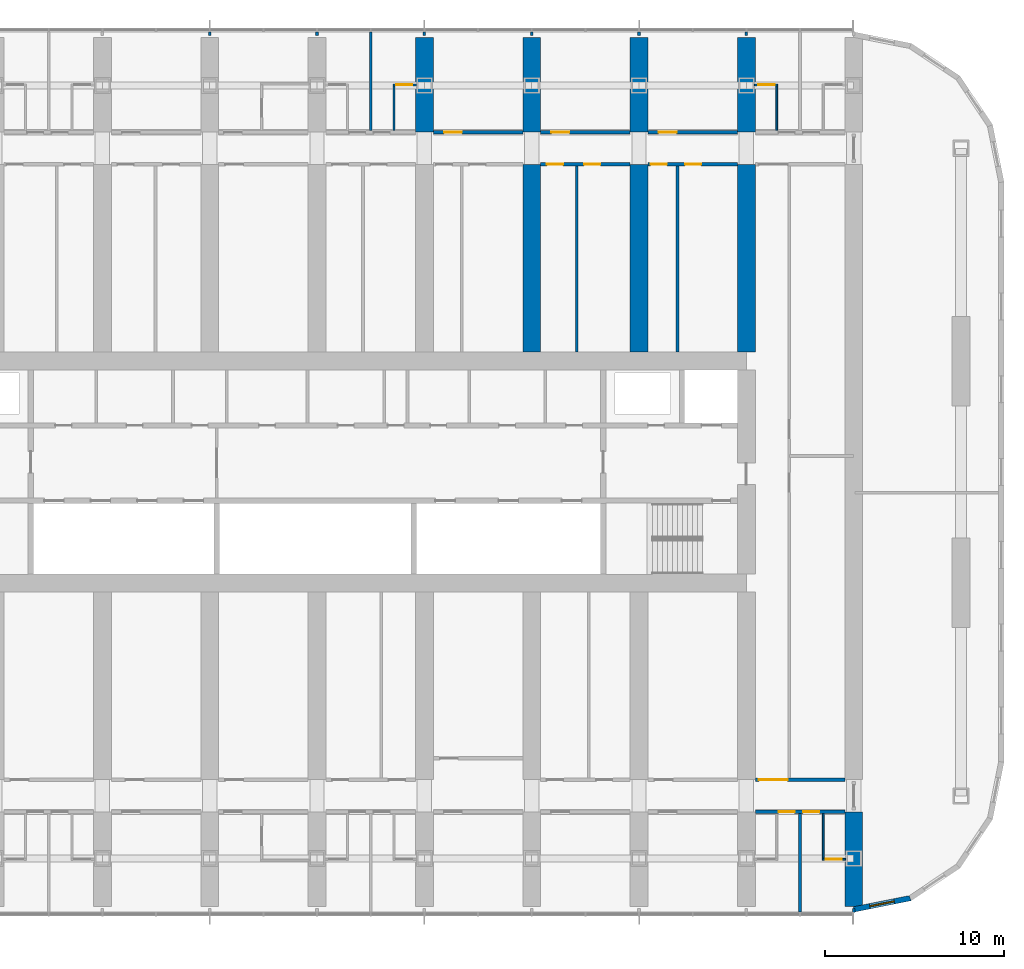
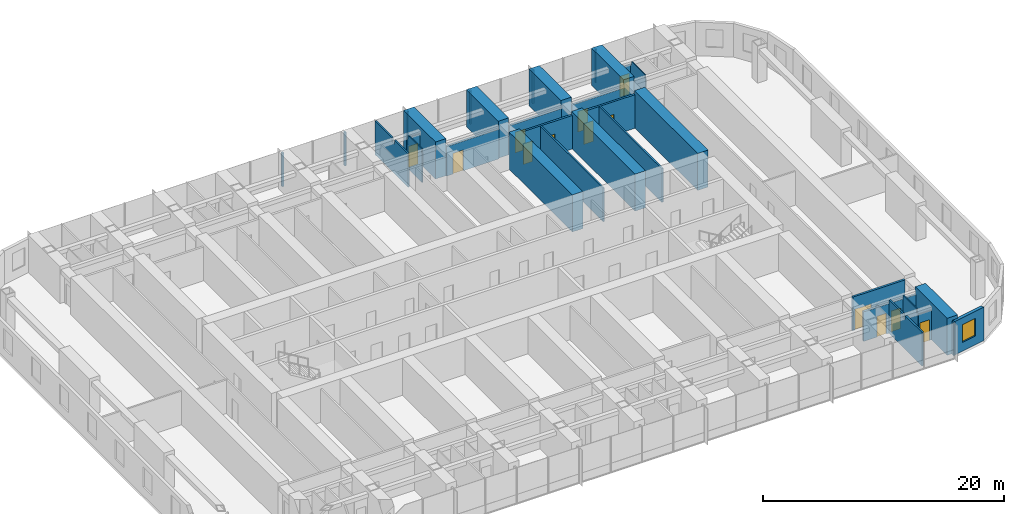
# One storey, part 16 of 23: 33 walls, 13 doors, 1 window, 14 openings.
"""IFC4 building model written with IfcOpenShell, lengths in metres."""

import ifcopenshell
import ifcopenshell.guid

model = None  # the IFC model being written
_history = None  # IfcOwnerHistory: only IFC2X3 demands one
_inside = {}  # id of a spatial element -> (the spatial element, [elements in it])
_under = {}  # id of a project, library or spatial element -> (it, [spatial elements below it])
_declared = {}  # id of a project -> (the project, [libraries it declares])
_typed = {}  # id of a type object -> (the type object, [elements of that type])
_made_of = {}  # id of a material, layer set ... -> (it, [elements and type objects made of it])


def new_model(schema):
    """Start an empty IFC model of exactly this schema.

    Asked for "IFC4X3", IfcOpenShell would pick the latest addendum, in which some entities
    have other attributes; the version numbers below select the first issue.
    IFC2X3 requires an IfcOwnerHistory on every rooted entity: one is made here for all.
    """
    global model, _history
    if schema == "IFC4X3":
        model = ifcopenshell.file(schema_version=(4, 3, 0, 0))
    else:
        model = ifcopenshell.file(schema=schema)
    _inside.clear()
    _under.clear()
    _declared.clear()
    _typed.clear()
    _made_of.clear()
    _history = None
    if model.schema == "IFC2X3":
        org = make("IfcOrganization", Name="unknown")
        user = make(
            "IfcPersonAndOrganization",
            ThePerson=make("IfcPerson", FamilyName="unknown"),
            TheOrganization=org,
        )
        app = make(
            "IfcApplication",
            ApplicationDeveloper=org,
            Version="unknown",
            ApplicationFullName="unknown",
            ApplicationIdentifier="unknown",
        )
        _history = make(
            "IfcOwnerHistory",
            OwningUser=user,
            OwningApplication=app,
            ChangeAction="ADDED",
            CreationDate=0,
        )
    return model


def make(cls, **values):
    """One entity of the class cls with the attributes given. An attribute that is None is left unset."""
    return model.create_entity(
        cls, **{name: value for name, value in values.items() if value is not None}
    )


def rooted(cls, **values):
    """An entity with a GlobalId (a new one), such as an element, a storey or a relation."""
    return make(cls, GlobalId=ifcopenshell.guid.new(), OwnerHistory=_history, **values)


def si_unit(unit_type, name, prefix=None):
    """IfcSIUnit, for example si_unit("LENGTHUNIT", "METRE", prefix="MILLI")."""
    return make("IfcSIUnit", UnitType=unit_type, Prefix=prefix, Name=name)


def assignment(units):
    """IfcUnitAssignment: the units of a project."""
    return None if units is None else make("IfcUnitAssignment", Units=units)


def point(xyz):
    """IfcCartesianPoint."""
    return None if xyz is None else make("IfcCartesianPoint", Coordinates=xyz)


def direction(xyz):
    """IfcDirection."""
    return None if xyz is None else make("IfcDirection", DirectionRatios=xyz)


def frame(location, z_axis=None, x_axis=None):
    """IfcAxis2Placement3D, a coordinate frame: its origin and axes. An axis left out is left unset."""
    return make(
        "IfcAxis2Placement3D",
        Location=point(location),
        Axis=direction(z_axis),
        RefDirection=direction(x_axis),
    )


def frame_2d(location, x_axis=None):
    """IfcAxis2Placement2D, a coordinate frame in the plane: its origin and x axis."""
    return make(
        "IfcAxis2Placement2D", Location=point(location), RefDirection=direction(x_axis)
    )


def origin():
    """The frame at (0, 0, 0) with its axes left unset."""
    return frame((0.0, 0.0, 0.0))


def place(relative_to, where):
    """IfcLocalPlacement: puts the frame where relative to a parent placement (None: the world)."""
    return make(
        "IfcLocalPlacement", PlacementRelTo=relative_to, RelativePlacement=where
    )


def context(
    kind, dimensions, precision=None, world=None, true_north=None, identifier=None
):
    """IfcGeometricRepresentationContext, for example the 3D "Model" context."""
    return make(
        "IfcGeometricRepresentationContext",
        ContextIdentifier=identifier,
        ContextType=kind,
        CoordinateSpaceDimension=dimensions,
        Precision=precision,
        WorldCoordinateSystem=world,
        TrueNorth=true_north,
    )


def subcontext(parent, identifier, kind, view, scale=None):
    """IfcGeometricRepresentationSubContext, for example "Body" below "Model"."""
    return make(
        "IfcGeometricRepresentationSubContext",
        ContextIdentifier=identifier,
        ContextType=kind,
        ParentContext=parent,
        TargetScale=scale,
        TargetView=view,
    )


def project(units=None, contexts=None):
    """IfcProject with its units and contexts."""
    return rooted(
        "IfcProject",
        Name="project",
        RepresentationContexts=contexts,
        UnitsInContext=assignment(units),
    )


def spatial(cls, under=None, at=None, **own):
    """A site, building, storey or space (cls), placed at a placement, below another one or the project."""
    s = rooted(cls, ObjectPlacement=at, **own)
    if under is not None:
        _under.setdefault(under.id(), (under, []))[1].append(s)
    return s


def polyline(points):
    """IfcPolyline through the points."""
    return make("IfcPolyline", Points=[point(p) for p in points])


def profile(cls, at=None, kind="AREA", **sizes):
    """A parametric profile (cls). Its sizes go by their IFC names, for example OverallWidth=200.0."""
    return make(cls, ProfileType=kind, Position=at, **sizes)


def rectangle(**sizes):
    """IfcRectangleProfileDef."""
    return profile("IfcRectangleProfileDef", **sizes)


def outline(outer, holes=None, kind="AREA"):
    """IfcArbitraryClosedProfileDef: a profile drawn as a closed curve; with holes, ...WithVoids."""
    if holes is None:
        return make("IfcArbitraryClosedProfileDef", ProfileType=kind, OuterCurve=outer)
    return make(
        "IfcArbitraryProfileDefWithVoids",
        ProfileType=kind,
        OuterCurve=outer,
        InnerCurves=holes,
    )


def extrude(swept, where, along, depth):
    """IfcExtrudedAreaSolid: the profile swept, set in the frame where, extruded along a direction by depth."""
    return make(
        "IfcExtrudedAreaSolid",
        SweptArea=swept,
        Position=where,
        ExtrudedDirection=direction(along),
        Depth=depth,
    )


def shape(context_of_items, identifier, shape_type, items):
    """IfcShapeRepresentation: the items that make up one representation, for example the "Body"."""
    return make(
        "IfcShapeRepresentation",
        ContextOfItems=context_of_items,
        RepresentationIdentifier=identifier,
        RepresentationType=shape_type,
        Items=items,
    )


def material(Name=None, Category=None):
    """IfcMaterial."""
    return make("IfcMaterial", Name=Name, Category=Category)


def layer(
    of_material, thickness, ventilated=None, Name=None, Category=None, Priority=None
):
    """IfcMaterialLayer: one layer of a wall or slab, of a material (None: an air gap)."""
    return make(
        "IfcMaterialLayer",
        Material=of_material,
        LayerThickness=thickness,
        IsVentilated=ventilated,
        Name=Name,
        Category=Category,
        Priority=Priority,
    )


def layer_set(layers, Name=None):
    """IfcMaterialLayerSet."""
    return make("IfcMaterialLayerSet", MaterialLayers=layers, LayerSetName=Name)


def made_of(thing, what):
    """Note that an element or type object is made of a material, layer set ...; save() writes the relation."""
    if what is not None:
        _made_of.setdefault(what.id(), (what, []))[1].append(thing)
    return thing


def type_object(cls, material=None, **own):
    """A type object (cls), such as IfcWallType, which elements share."""
    return made_of(rooted(cls, **own), material)


def element(
    cls,
    number,
    at=None,
    inside=None,
    cuts=None,
    type_object=None,
    material=None,
    context=None,
    identifier="Body",
    shape_type=None,
    held_by="IfcProductDefinitionShape",
    body=None,
    shapes=None,
    **own,
):
    """One element of the class cls, such as IfcWall. Its Tag is "e" and its number.

    at: its placement. inside: the storey or other place that contains it. cuts: it is an
    opening in that element (IfcRelVoidsElement). A single representation is given by context,
    identifier, shape_type and body (its items); several are given by shapes. held_by: the class
    of the entity that holds the representations. save() writes the other relations.
    """
    e = rooted(cls, Tag="e%d" % number, ObjectPlacement=at, **own)
    if body is not None:
        shapes = [shape(context, identifier, shape_type, body)]
    if shapes is not None:
        e.Representation = make(held_by, Representations=shapes)
    if inside is not None:
        _inside.setdefault(inside.id(), (inside, []))[1].append(e)
    if cuts is not None:
        rooted(
            "IfcRelVoidsElement", RelatingBuildingElement=cuts, RelatedOpeningElement=e
        )
    if type_object is not None:
        _typed.setdefault(type_object.id(), (type_object, []))[1].append(e)
    return made_of(e, material)


def fill(opening, filler):
    """IfcRelFillsElement: the door or window that sits in an opening."""
    return rooted(
        "IfcRelFillsElement",
        RelatingOpeningElement=opening,
        RelatedBuildingElement=filler,
    )


def aggregate(whole, parts):
    """IfcRelAggregates: a whole, such as a stair, and the parts it consists of."""
    return rooted("IfcRelAggregates", RelatingObject=whole, RelatedObjects=parts)


def save(model, path):
    """Write the relations noted so far, then the file.

    IfcRelAggregates (storeys below a building ...), IfcRelContainedInSpatialStructure (elements
    in a storey), IfcRelDefinesByType, IfcRelAssociatesMaterial and IfcRelDeclares: one each for
    every whole, place, type object, material and project.
    """
    for whole, parts in _under.values():
        aggregate(whole, parts)
    for where, things in _inside.values():
        rooted(
            "IfcRelContainedInSpatialStructure",
            RelatedElements=things,
            RelatingStructure=where,
        )
    for kind, things in _typed.values():
        rooted("IfcRelDefinesByType", RelatedObjects=things, RelatingType=kind)
    for what, things in _made_of.values():
        rooted("IfcRelAssociatesMaterial", RelatedObjects=things, RelatingMaterial=what)
    for by, libraries in _declared.values():
        rooted("IfcRelDeclares", RelatingContext=by, RelatedDefinitions=libraries)
    model.write(path)


model = new_model("IFC4")

# Units and contexts
model_context = context("Model", 3, precision=1e-05, world=origin(), true_north=direction((0.0, 1.0)))
body_context = subcontext(model_context, "Body", "Model", "MODEL_VIEW")
ifc_project = project(units=[si_unit("LENGTHUNIT", "METRE"), si_unit("AREAUNIT", "SQUARE_METRE"), si_unit("VOLUMEUNIT", "CUBIC_METRE"), si_unit("PLANEANGLEUNIT", "RADIAN"), si_unit("MASSUNIT", "GRAM", prefix="KILO")], contexts=[model_context])

# Site, building, storey
site_placement = place(None, origin())
site = spatial("IfcSite", under=ifc_project, at=site_placement, CompositionType="ELEMENT")
building_placement = place(site_placement, origin())
building = spatial("IfcBuilding", under=site, at=building_placement, Name="Orbita Commons", CompositionType="ELEMENT")
storey_placement = place(building_placement, frame((0.0, 0.0, 65.199951171875)))
storey = spatial("IfcBuildingStorey", under=building, at=storey_placement, Name="L16", CompositionType="ELEMENT", Elevation=65.199951171875)

# Wall, openings, doors
ifc_material_1 = material(Name="Concrete blockwork", Category="masonry")
ifc_layer_1 = layer(ifc_material_1, 0.199951171875)
ifc_layer_set_1 = layer_set([ifc_layer_1], Name="Concrete blockwork")
wall_type_1 = type_object("IfcWallType", Name="Corridor wall 200 blockwork", PredefinedType="SOLIDWALL", material=ifc_layer_set_1)
wall_1_placement = place(storey_placement, frame((66.5, 13.0, 0.0), z_axis=(0.0, 0.0, 1.0), x_axis=(1.0, 0.0, 0.0)))
wall_1 = element("IfcWall", 1, at=wall_1_placement, inside=storey, type_object=wall_type_1, Name="Corridor wall 200 blockwork L16", PredefinedType="SOLIDWALL", context=body_context, shape_type="SweptSolid", body=[
    extrude(outline(polyline([(0.0, 0.0), (5.0, 0.0), (5.0, 3.0), (0.0, 3.0), (0.0, 0.0)])), frame((0.0, 0.10009765625, 0.0), z_axis=(0.0, -1.0, 0.0), x_axis=(1.0, 0.0, 0.0)), (0.0, 0.0, 1.0), 0.199951171875),
])
opening_1_placement = place(wall_1_placement, frame((1.300048828125, 0.0, 0.0)))
opening_1 = element("IfcOpeningElement", 2, at=opening_1_placement, cuts=wall_1, Name="Opening D11", PredefinedType="OPENING", context=body_context, shape_type="SweptSolid", body=[
    extrude(rectangle(XDim=0.89990234375, YDim=2.10009765625, at=frame_2d((0.449951171875, 1.050048828125))), frame((0.0, 0.10986328125, 0.0), z_axis=(0.0, -1.0, 0.0), x_axis=(1.0, 0.0, 0.0)), (0.0, 0.0, 1.0), 0.219970703125),
])
opening_2_placement = place(wall_1_placement, frame((2.675048828125, 0.0, 0.0)))
opening_2 = element("IfcOpeningElement", 3, at=opening_2_placement, cuts=wall_1, Name="Opening D11", PredefinedType="OPENING", context=body_context, shape_type="SweptSolid", body=[
    extrude(rectangle(XDim=0.89990234375, YDim=2.10009765625, at=frame_2d((0.449951171875, 1.050048828125))), frame((0.0, 0.10986328125, 0.0), z_axis=(0.0, -1.0, 0.0), x_axis=(1.0, 0.0, 0.0)), (0.0, 0.0, 1.0), 0.219970703125),
])
ifc_material_2 = material(Name="Steel-faced fire door leaf", Category="steel")
door_type_1 = type_object("IfcDoorType", Name="Corridor door 20 min 900x2100", OperationType="SINGLE_SWING_LEFT", PredefinedType="DOOR", material=ifc_material_2)
door_1_placement = place(opening_1_placement, origin())
door_1 = element("IfcDoor", 4, at=door_1_placement, inside=storey, type_object=door_type_1, Name="House bedroom L16-S18 door", OperationType="SINGLE_SWING_LEFT", OverallHeight=2.10009765625, OverallWidth=0.89990234375, PredefinedType="DOOR", context=body_context, shape_type="SweptSolid", body=[
    extrude(rectangle(XDim=0.89990234375, YDim=2.10009765625, at=frame_2d((0.449951171875, 1.050048828125))), frame((0.0, 0.02490234375, 0.0), z_axis=(0.0, -1.0, 0.0), x_axis=(1.0, 0.0, 0.0)), (0.0, 0.0, 1.0), 0.050048828125),
])
fill(opening_1, door_1)
door_2_placement = place(opening_2_placement, origin())
door_2 = element("IfcDoor", 5, at=door_2_placement, inside=storey, type_object=door_type_1, Name="House bedroom L16-S19 door", OperationType="SINGLE_SWING_LEFT", OverallHeight=2.10009765625, OverallWidth=0.89990234375, PredefinedType="DOOR", context=body_context, shape_type="SweptSolid", body=[
    extrude(rectangle(XDim=0.89990234375, YDim=2.10009765625, at=frame_2d((0.449951171875, 1.050048828125))), frame((0.0, 0.02490234375, 0.0), z_axis=(0.0, -1.0, 0.0), x_axis=(1.0, 0.0, 0.0)), (0.0, 0.0, 1.0), 0.050048828125),
])
fill(opening_2, door_2)

# Wall, opening, door
wall_2_placement = place(storey_placement, frame((48.5, 51.0, 0.0), z_axis=(0.0, 0.0, 1.0), x_axis=(1.0, 0.0, 0.0)))
wall_2 = element("IfcWall", 6, at=wall_2_placement, inside=storey, type_object=wall_type_1, Name="Corridor wall 200 blockwork L16", PredefinedType="SOLIDWALL", context=body_context, shape_type="SweptSolid", body=[
    extrude(outline(polyline([(0.0, 0.0), (5.0, 0.0), (5.0, 3.0), (0.0, 3.0), (0.0, 0.0)])), frame((0.0, 0.10009765625, 0.0), z_axis=(0.0, -1.0, 0.0), x_axis=(1.0, 0.0, 0.0)), (0.0, 0.0, 1.0), 0.199951171875),
])
opening_3_placement = place(wall_2_placement, frame((0.60009765625, 0.0, 0.0)))
opening_3 = element("IfcOpeningElement", 7, at=opening_3_placement, cuts=wall_2, Name="Opening D06", PredefinedType="OPENING", context=body_context, shape_type="SweptSolid", body=[
    extrude(rectangle(XDim=1.0, YDim=2.10009765625, at=frame_2d((0.5, 1.050048828125))), frame((0.0, 0.10986328125, 0.0), z_axis=(0.0, -1.0, 0.0), x_axis=(1.0, 0.0, 0.0)), (0.0, 0.0, 1.0), 0.219970703125),
])
ifc_material_3 = material(Name="Steel-faced fire door leaf", Category="steel")
door_type_2 = type_object("IfcDoorType", Name="Corridor door 20 min 1000x2100", OperationType="SINGLE_SWING_LEFT", PredefinedType="DOOR", material=ifc_material_3)
door_3_placement = place(opening_3_placement, origin())
door_3 = element("IfcDoor", 8, at=door_3_placement, inside=storey, type_object=door_type_2, Name="House study room L16-N12 door", OperationType="SINGLE_SWING_LEFT", OverallHeight=2.10009765625, OverallWidth=1.0, PredefinedType="DOOR", context=body_context, shape_type="SweptSolid", body=[
    extrude(rectangle(XDim=1.0, YDim=2.10009765625, at=frame_2d((0.5, 1.050048828125))), frame((0.0, 0.02490234375, 0.0), z_axis=(0.0, -1.0, 0.0), x_axis=(1.0, 0.0, 0.0)), (0.0, 0.0, 1.0), 0.050048828125),
])
fill(opening_3, door_3)

wall_3_placement = place(storey_placement, frame((54.5, 51.0, 0.0), z_axis=(0.0, 0.0, 1.0), x_axis=(1.0, 0.0, 0.0)))
wall_3 = element("IfcWall", 9, at=wall_3_placement, inside=storey, type_object=wall_type_1, Name="Corridor wall 200 blockwork L16", PredefinedType="SOLIDWALL", context=body_context, shape_type="SweptSolid", body=[
    extrude(outline(polyline([(0.0, 0.0), (5.0, 0.0), (5.0, 3.0), (0.0, 3.0), (0.0, 0.0)])), frame((0.0, 0.10009765625, 0.0), z_axis=(0.0, -1.0, 0.0), x_axis=(1.0, 0.0, 0.0)), (0.0, 0.0, 1.0), 0.199951171875),
])
opening_4_placement = place(wall_3_placement, frame((0.60009765625, 0.0, 0.0)))
opening_4 = element("IfcOpeningElement", 10, at=opening_4_placement, cuts=wall_3, Name="Opening D06", PredefinedType="OPENING", context=body_context, shape_type="SweptSolid", body=[
    extrude(rectangle(XDim=1.0, YDim=2.10009765625, at=frame_2d((0.5, 1.050048828125))), frame((0.0, 0.10986328125, 0.0), z_axis=(0.0, -1.0, 0.0), x_axis=(1.0, 0.0, 0.0)), (0.0, 0.0, 1.0), 0.219970703125),
])
door_4_placement = place(opening_4_placement, origin())
door_4 = element("IfcDoor", 11, at=door_4_placement, inside=storey, type_object=door_type_2, Name="House kitchen-diner L16-N14 door", OperationType="SINGLE_SWING_LEFT", OverallHeight=2.10009765625, OverallWidth=1.0, PredefinedType="DOOR", context=body_context, shape_type="SweptSolid", body=[
    extrude(rectangle(XDim=1.0, YDim=2.10009765625, at=frame_2d((0.5, 1.050048828125))), frame((0.0, 0.02490234375, 0.0), z_axis=(0.0, -1.0, 0.0), x_axis=(1.0, 0.0, 0.0)), (0.0, 0.0, 1.0), 0.050048828125),
])
fill(opening_4, door_4)

wall_4_placement = place(storey_placement, frame((60.5, 51.0, 0.0), z_axis=(0.0, 0.0, 1.0), x_axis=(1.0, 0.0, 0.0)))
wall_4 = element("IfcWall", 12, at=wall_4_placement, inside=storey, type_object=wall_type_1, Name="Corridor wall 200 blockwork L16", PredefinedType="SOLIDWALL", context=body_context, shape_type="SweptSolid", body=[
    extrude(outline(polyline([(0.0, 0.0), (5.0, 0.0), (5.0, 3.0), (0.0, 3.0), (0.0, 0.0)])), frame((0.0, 0.10009765625, 0.0), z_axis=(0.0, -1.0, 0.0), x_axis=(1.0, 0.0, 0.0)), (0.0, 0.0, 1.0), 0.199951171875),
])
opening_5_placement = place(wall_4_placement, frame((0.60009765625, 0.0, 0.0)))
opening_5 = element("IfcOpeningElement", 13, at=opening_5_placement, cuts=wall_4, Name="Opening D06", PredefinedType="OPENING", context=body_context, shape_type="SweptSolid", body=[
    extrude(rectangle(XDim=1.0, YDim=2.10009765625, at=frame_2d((0.5, 1.050048828125))), frame((0.0, 0.10986328125, 0.0), z_axis=(0.0, -1.0, 0.0), x_axis=(1.0, 0.0, 0.0)), (0.0, 0.0, 1.0), 0.219970703125),
])
door_5_placement = place(opening_5_placement, origin())
door_5 = element("IfcDoor", 14, at=door_5_placement, inside=storey, type_object=door_type_2, Name="House study room L16-N16 door", OperationType="SINGLE_SWING_LEFT", OverallHeight=2.10009765625, OverallWidth=1.0, PredefinedType="DOOR", context=body_context, shape_type="SweptSolid", body=[
    extrude(rectangle(XDim=1.0, YDim=2.10009765625, at=frame_2d((0.5, 1.050048828125))), frame((0.0, 0.02490234375, 0.0), z_axis=(0.0, -1.0, 0.0), x_axis=(1.0, 0.0, 0.0)), (0.0, 0.0, 1.0), 0.050048828125),
])
fill(opening_5, door_5)

ifc_material_4 = material(Name="Hollow concrete block 200", Category="concrete")
ifc_layer_2 = layer(ifc_material_4, 0.199951171875)
ifc_layer_set_2 = layer_set([ifc_layer_2], Name="Hollow concrete block 200")
wall_type_2 = type_object("IfcWallType", Name="Corridor wall 200 hollow concrete block", PredefinedType="SOLIDWALL", material=ifc_layer_set_2)
wall_5_placement = place(storey_placement, frame((66.5, 14.800048828125, 0.0), z_axis=(0.0, 0.0, 1.0), x_axis=(1.0, 0.0, 0.0)))
wall_5 = element("IfcWall", 15, at=wall_5_placement, inside=storey, type_object=wall_type_2, Name="Corridor wall 200 hollow concrete block L16", PredefinedType="SOLIDWALL", context=body_context, shape_type="SweptSolid", body=[
    extrude(rectangle(XDim=5.0, YDim=0.199951171875, at=frame_2d((2.5, 0.0))), origin(), (0.0, 0.0, 1.0), 3.400146484375),
])
opening_6_placement = place(wall_5_placement, frame((0.199951171875, 0.0, 0.0)))
opening_6 = element("IfcOpeningElement", 16, at=opening_6_placement, cuts=wall_5, Name="Opening D10", PredefinedType="OPENING", context=body_context, shape_type="SweptSolid", body=[
    extrude(rectangle(XDim=1.60009765625, YDim=2.10009765625, at=frame_2d((0.800048828125, 1.050048828125))), frame((0.0, 0.10986328125, 0.0), z_axis=(0.0, -1.0, 0.0), x_axis=(1.0, 0.0, 0.0)), (0.0, 0.0, 1.0), 0.219970703125),
])
ifc_material_5 = material(Name="Steel-faced fire door leaf", Category="steel")
door_type_3 = type_object("IfcDoorType", Name="Double corridor door 20 min 1600x2100", OperationType="DOUBLE_DOOR_SINGLE_SWING", PredefinedType="DOOR", material=ifc_material_5)
door_6_placement = place(opening_6_placement, origin())
door_6 = element("IfcDoor", 17, at=door_6_placement, inside=storey, type_object=door_type_3, Name="Cross corridor doors", OperationType="DOUBLE_DOOR_SINGLE_SWING", OverallHeight=2.10009765625, OverallWidth=1.60009765625, PredefinedType="DOOR", context=body_context, shape_type="SweptSolid", body=[
    extrude(rectangle(XDim=1.60009765625, YDim=2.10009765625, at=frame_2d((0.800048828125, 1.050048828125))), frame((0.0, 0.02490234375, 0.0), z_axis=(0.0, -1.0, 0.0), x_axis=(1.0, 0.0, 0.0)), (0.0, 0.0, 1.0), 0.050048828125),
])
fill(opening_6, door_6)

# Wall, openings, doors
wall_6_placement = place(storey_placement, frame((54.5, 49.199951171875, 0.0), z_axis=(0.0, 0.0, 1.0), x_axis=(1.0, 0.0, 0.0)))
wall_6 = element("IfcWall", 18, at=wall_6_placement, inside=storey, type_object=wall_type_2, Name="Corridor wall 200 hollow concrete block L16", PredefinedType="SOLIDWALL", context=body_context, shape_type="SweptSolid", body=[
    extrude(rectangle(XDim=5.0, YDim=0.199951171875, at=frame_2d((2.5, 0.0))), origin(), (0.0, 0.0, 1.0), 3.400146484375),
])
opening_7_placement = place(wall_6_placement, frame((0.35009765625, 0.0, 0.0)))
opening_7 = element("IfcOpeningElement", 19, at=opening_7_placement, cuts=wall_6, Name="Opening D11", PredefinedType="OPENING", context=body_context, shape_type="SweptSolid", body=[
    extrude(rectangle(XDim=0.89990234375, YDim=2.10009765625, at=frame_2d((0.449951171875, 1.050048828125))), frame((0.0, 0.10986328125, 0.0), z_axis=(0.0, -1.0, 0.0), x_axis=(1.0, 0.0, 0.0)), (0.0, 0.0, 1.0), 0.219970703125),
])
opening_8_placement = place(wall_6_placement, frame((2.43505859375, 0.0, 0.0)))
opening_8 = element("IfcOpeningElement", 20, at=opening_8_placement, cuts=wall_6, Name="Opening D11", PredefinedType="OPENING", context=body_context, shape_type="SweptSolid", body=[
    extrude(rectangle(XDim=0.89990234375, YDim=2.10009765625, at=frame_2d((0.449951171875, 1.050048828125))), frame((0.0, 0.10986328125, 0.0), z_axis=(0.0, -1.0, 0.0), x_axis=(1.0, 0.0, 0.0)), (0.0, 0.0, 1.0), 0.219970703125),
])
door_7_placement = place(opening_7_placement, origin())
door_7 = element("IfcDoor", 21, at=door_7_placement, inside=storey, type_object=door_type_1, Name="Battery and UPS room L16-BDN54n door", OperationType="SINGLE_SWING_LEFT", OverallHeight=2.10009765625, OverallWidth=0.89990234375, PredefinedType="DOOR", context=body_context, shape_type="SweptSolid", body=[
    extrude(rectangle(XDim=0.89990234375, YDim=2.10009765625, at=frame_2d((0.449951171875, 1.050048828125))), frame((0.0, 0.02490234375, 0.0), z_axis=(0.0, -1.0, 0.0), x_axis=(1.0, 0.0, 0.0)), (0.0, 0.0, 1.0), 0.050048828125),
])
fill(opening_7, door_7)
door_8_placement = place(opening_8_placement, origin())
door_8 = element("IfcDoor", 22, at=door_8_placement, inside=storey, type_object=door_type_1, Name="Storage lockers L16-BDN54 door", OperationType="SINGLE_SWING_LEFT", OverallHeight=2.10009765625, OverallWidth=0.89990234375, PredefinedType="DOOR", context=body_context, shape_type="SweptSolid", body=[
    extrude(rectangle(XDim=0.89990234375, YDim=2.10009765625, at=frame_2d((0.449951171875, 1.050048828125))), frame((0.0, 0.02490234375, 0.0), z_axis=(0.0, -1.0, 0.0), x_axis=(1.0, 0.0, 0.0)), (0.0, 0.0, 1.0), 0.050048828125),
])
fill(opening_8, door_8)

wall_7_placement = place(storey_placement, frame((60.5, 49.199951171875, 0.0), z_axis=(0.0, 0.0, 1.0), x_axis=(1.0, 0.0, 0.0)))
wall_7 = element("IfcWall", 23, at=wall_7_placement, inside=storey, type_object=wall_type_2, Name="Corridor wall 200 hollow concrete block L16", PredefinedType="SOLIDWALL", context=body_context, shape_type="SweptSolid", body=[
    extrude(rectangle(XDim=5.0, YDim=0.199951171875, at=frame_2d((2.5, 0.0))), origin(), (0.0, 0.0, 1.0), 3.400146484375),
])
opening_9_placement = place(wall_7_placement, frame((0.14990234375, 0.0, 0.0)))
opening_9 = element("IfcOpeningElement", 24, at=opening_9_placement, cuts=wall_7, Name="Opening D11", PredefinedType="OPENING", context=body_context, shape_type="SweptSolid", body=[
    extrude(rectangle(XDim=0.89990234375, YDim=2.10009765625, at=frame_2d((0.449951171875, 1.050048828125))), frame((0.0, 0.10986328125, 0.0), z_axis=(0.0, -1.0, 0.0), x_axis=(1.0, 0.0, 0.0)), (0.0, 0.0, 1.0), 0.219970703125),
])
opening_10_placement = place(wall_7_placement, frame((2.070068359375, 0.0, 0.0)))
opening_10 = element("IfcOpeningElement", 25, at=opening_10_placement, cuts=wall_7, Name="Opening D11", PredefinedType="OPENING", context=body_context, shape_type="SweptSolid", body=[
    extrude(rectangle(XDim=0.89990234375, YDim=2.10009765625, at=frame_2d((0.449951171875, 1.050048828125))), frame((0.0, 0.10986328125, 0.0), z_axis=(0.0, -1.0, 0.0), x_axis=(1.0, 0.0, 0.0)), (0.0, 0.0, 1.0), 0.219970703125),
])
door_9_placement = place(opening_9_placement, origin())
door_9 = element("IfcDoor", 26, at=door_9_placement, inside=storey, type_object=door_type_1, Name="Sprinkler valve room L16-BDN60n door", OperationType="SINGLE_SWING_LEFT", OverallHeight=2.10009765625, OverallWidth=0.89990234375, PredefinedType="DOOR", context=body_context, shape_type="SweptSolid", body=[
    extrude(rectangle(XDim=0.89990234375, YDim=2.10009765625, at=frame_2d((0.449951171875, 1.050048828125))), frame((0.0, 0.02490234375, 0.0), z_axis=(0.0, -1.0, 0.0), x_axis=(1.0, 0.0, 0.0)), (0.0, 0.0, 1.0), 0.050048828125),
])
fill(opening_9, door_9)
door_10_placement = place(opening_10_placement, origin())
door_10 = element("IfcDoor", 27, at=door_10_placement, inside=storey, type_object=door_type_1, Name="Ventilation plant room south L16-BDN60 door", OperationType="SINGLE_SWING_LEFT", OverallHeight=2.10009765625, OverallWidth=0.89990234375, PredefinedType="DOOR", context=body_context, shape_type="SweptSolid", body=[
    extrude(rectangle(XDim=0.89990234375, YDim=2.10009765625, at=frame_2d((0.449951171875, 1.050048828125))), frame((0.0, 0.02490234375, 0.0), z_axis=(0.0, -1.0, 0.0), x_axis=(1.0, 0.0, 0.0)), (0.0, 0.0, 1.0), 0.050048828125),
])
fill(opening_10, door_10)

# Walls
ifc_material_6 = material(Name="Concrete C50/60", Category="concrete")
ifc_layer_3 = layer(ifc_material_6, 1.0)
ifc_layer_set_3 = layer_set([ifc_layer_3], Name="Concrete C50/60")
wall_type_3 = type_object("IfcWallType", Name="Cross wall 1000 C50/60", PredefinedType="SHEAR", material=ifc_layer_set_3)
for number, where, z_axis, x_axis, name in (
    (28, (48.0, 51.0, 0.0), (0.0, 0.0, 1.0), (0.0, 1.0, 0.0), "Cross wall 9 north outer L16"),
    (29, (54.0, 51.0, 0.0), (0.0, 0.0, 1.0), (0.0, 1.0, 0.0), "Cross wall 10 north outer L16"),
):
    element("IfcWall", number, at=place(storey_placement, frame(where, z_axis=z_axis, x_axis=x_axis)), inside=storey, type_object=wall_type_3, Name=name, PredefinedType="SHEAR", context=body_context, shape_type="SweptSolid", body=[
        extrude(rectangle(XDim=5.300048828125, YDim=1.0, at=frame_2d((2.64990234375, 0.0))), origin(), (0.0, 0.0, 1.0), 3.75),
    ])
wall_8_placement = place(storey_placement, frame((54.0, 38.699951171875, 0.0), z_axis=(0.0, 0.0, 1.0), x_axis=(0.0, 1.0, 0.0)))
element("IfcWall", 30, at=wall_8_placement, inside=storey, type_object=wall_type_3, Name="Cross wall 10 north inner L16", PredefinedType="SHEAR", context=body_context, shape_type="SweptSolid", body=[
    extrude(rectangle(XDim=10.5, YDim=1.0, at=frame_2d((5.25, 0.0))), origin(), (0.0, 0.0, 1.0), 3.75),
])
wall_9_placement = place(storey_placement, frame((60.0, 51.0, 0.0), z_axis=(0.0, 0.0, 1.0), x_axis=(0.0, 1.0, 0.0)))
element("IfcWall", 31, at=wall_9_placement, inside=storey, type_object=wall_type_3, Name="Cross wall 11 north outer L16", PredefinedType="SHEAR", context=body_context, shape_type="SweptSolid", body=[
    extrude(rectangle(XDim=5.300048828125, YDim=1.0, at=frame_2d((2.64990234375, 0.0))), origin(), (0.0, 0.0, 1.0), 3.75),
])
wall_10_placement = place(storey_placement, frame((60.0, 38.699951171875, 0.0), z_axis=(0.0, 0.0, 1.0), x_axis=(0.0, 1.0, 0.0)))
element("IfcWall", 32, at=wall_10_placement, inside=storey, type_object=wall_type_3, Name="Cross wall 11 north inner L16", PredefinedType="SHEAR", context=body_context, shape_type="SweptSolid", body=[
    extrude(rectangle(XDim=10.5, YDim=1.0, at=frame_2d((5.25, 0.0))), origin(), (0.0, 0.0, 1.0), 3.75),
])
wall_11_placement = place(storey_placement, frame((66.0, 51.0, 0.0), z_axis=(0.0, 0.0, 1.0), x_axis=(0.0, 1.0, 0.0)))
element("IfcWall", 33, at=wall_11_placement, inside=storey, type_object=wall_type_3, Name="Cross wall 12 north outer L16", PredefinedType="SHEAR", context=body_context, shape_type="SweptSolid", body=[
    extrude(rectangle(XDim=5.300048828125, YDim=1.0, at=frame_2d((2.64990234375, 0.0))), origin(), (0.0, 0.0, 1.0), 3.75),
])
wall_12_placement = place(storey_placement, frame((66.0, 38.699951171875, 0.0), z_axis=(0.0, 0.0, 1.0), x_axis=(0.0, 1.0, 0.0)))
element("IfcWall", 34, at=wall_12_placement, inside=storey, type_object=wall_type_3, Name="Cross wall 12 north inner L16", PredefinedType="SHEAR", context=body_context, shape_type="SweptSolid", body=[
    extrude(rectangle(XDim=10.5, YDim=1.0, at=frame_2d((5.25, 0.0))), origin(), (0.0, 0.0, 1.0), 3.75),
])
wall_13_placement = place(storey_placement, frame((72.0, 7.699951171875, 0.0), z_axis=(0.0, 0.0, 1.0), x_axis=(0.0, 1.0, 0.0)))
element("IfcWall", 35, at=wall_13_placement, inside=storey, type_object=wall_type_3, Name="Cross wall 13 south outer L16", PredefinedType="SHEAR", context=body_context, shape_type="SweptSolid", body=[
    extrude(rectangle(XDim=5.300048828125, YDim=1.0, at=frame_2d((2.64990234375, 0.0))), origin(), (0.0, 0.0, 1.0), 3.75),
])

# Wall, opening, door
ifc_material_7 = material(Name="Moisture-resistant plasterboard on steel studs", Category="steel")
ifc_layer_4 = layer(ifc_material_7, 0.10009765625)
ifc_layer_set_4 = layer_set([ifc_layer_4], Name="Moisture-resistant plasterboard on steel studs")
wall_type_4 = type_object("IfcWallType", Name="En-suite partition 100", PredefinedType="PARTITIONING", material=ifc_layer_set_4)
wall_14_placement = place(storey_placement, frame((71.550048828125, 10.3583984375, 0.0), z_axis=(0.0, 0.0, 1.0), x_axis=(-1.0, 0.0, 0.0)))
wall_14 = element("IfcWall", 36, at=wall_14_placement, inside=storey, type_object=wall_type_4, Name="En-suite partition 100 L16", PredefinedType="PARTITIONING", context=body_context, shape_type="SweptSolid", body=[
    extrude(outline(polyline([(0.0, 0.0), (1.300048828125, 0.0), (1.300048828125, 3.0), (0.0, 3.0), (0.0, 0.0)])), frame((0.0, 0.050048828125, 0.0), z_axis=(0.0, -1.0, 0.0), x_axis=(1.0, 0.0, 0.0)), (0.0, 0.0, 1.0), 0.10009765625),
])
opening_11_placement = place(wall_14_placement, frame((0.22509765625, 0.0, 0.0)))
opening_11 = element("IfcOpeningElement", 37, at=opening_11_placement, cuts=wall_14, Name="Opening D09", PredefinedType="OPENING", context=body_context, shape_type="SweptSolid", body=[
    extrude(rectangle(XDim=0.89990234375, YDim=2.10009765625, at=frame_2d((0.449951171875, 1.050048828125))), frame((0.0, 0.06005859375, 0.0), z_axis=(0.0, -1.0, 0.0), x_axis=(1.0, 0.0, 0.0)), (0.0, 0.0, 1.0), 0.1201171875),
])
ifc_material_8 = material(Name="Laminated timber door leaf", Category="wood")
door_type_4 = type_object("IfcDoorType", Name="En-suite door 900x2100", OperationType="SINGLE_SWING_RIGHT", PredefinedType="DOOR", material=ifc_material_8)
door_11_placement = place(opening_11_placement, origin())
door_11 = element("IfcDoor", 38, at=door_11_placement, inside=storey, type_object=door_type_4, Name="En-suite L16-S19 door", OperationType="SINGLE_SWING_RIGHT", OverallHeight=2.10009765625, OverallWidth=0.89990234375, PredefinedType="DOOR", context=body_context, shape_type="SweptSolid", body=[
    extrude(rectangle(XDim=0.89990234375, YDim=2.10009765625, at=frame_2d((0.449951171875, 1.050048828125))), frame((0.0, 0.02490234375, 0.0), z_axis=(0.0, -1.0, 0.0), x_axis=(1.0, 0.0, 0.0)), (0.0, 0.0, 1.0), 0.050048828125),
])
fill(opening_11, door_11)

# Wall
wall_15_placement = place(storey_placement, frame((70.300048828125, 10.408203125, 0.0), z_axis=(0.0, 0.0, 1.0), x_axis=(0.0, 1.0, 0.0)))
element("IfcWall", 39, at=wall_15_placement, inside=storey, type_object=wall_type_4, Name="En-suite partition 100 L16", PredefinedType="PARTITIONING", context=body_context, shape_type="SweptSolid", body=[
    extrude(outline(polyline([(0.0, 0.0), (2.49169921875, 0.0), (2.49169921875, 3.0), (2.443603515625, 3.0), (2.441650390625, 3.400146484375), (0.193603515625, 3.400146484375), (0.191650390625, 3.0), (0.0, 3.0), (0.0, 0.0)])), frame((0.0, 0.050048828125, 0.0), z_axis=(0.0, -1.0, 0.0), x_axis=(1.0, 0.0, 0.0)), (0.0, 0.0, 1.0), 0.10009765625),
])

# Wall, opening, door
wall_16_placement = place(storey_placement, frame((46.25, 53.6416015625, 0.0), z_axis=(0.0, 0.0, 1.0), x_axis=(1.0, 0.0, 0.0)))
wall_16 = element("IfcWall", 40, at=wall_16_placement, inside=storey, type_object=wall_type_4, Name="En-suite partition 100 L16", PredefinedType="PARTITIONING", context=body_context, shape_type="SweptSolid", body=[
    extrude(outline(polyline([(0.0, 0.0), (1.300048828125, 0.0), (1.300048828125, 3.0), (0.0, 3.0), (0.0, 0.0)])), frame((0.0, 0.050048828125, 0.0), z_axis=(0.0, -1.0, 0.0), x_axis=(1.0, 0.0, 0.0)), (0.0, 0.0, 1.0), 0.10009765625),
])
opening_12_placement = place(wall_16_placement, frame((0.175048828125, 0.0, 0.0)))
opening_12 = element("IfcOpeningElement", 41, at=opening_12_placement, cuts=wall_16, Name="Opening D09", PredefinedType="OPENING", context=body_context, shape_type="SweptSolid", body=[
    extrude(rectangle(XDim=0.89990234375, YDim=2.10009765625, at=frame_2d((0.449951171875, 1.050048828125))), frame((0.0, 0.06005859375, 0.0), z_axis=(0.0, -1.0, 0.0), x_axis=(1.0, 0.0, 0.0)), (0.0, 0.0, 1.0), 0.1201171875),
])
door_12_placement = place(opening_12_placement, origin())
door_12 = element("IfcDoor", 42, at=door_12_placement, inside=storey, type_object=door_type_4, Name="En-suite L16-N11 door", OperationType="SINGLE_SWING_RIGHT", OverallHeight=2.10009765625, OverallWidth=0.89990234375, PredefinedType="DOOR", context=body_context, shape_type="SweptSolid", body=[
    extrude(rectangle(XDim=0.89990234375, YDim=2.10009765625, at=frame_2d((0.449951171875, 1.050048828125))), frame((0.0, 0.02490234375, 0.0), z_axis=(0.0, -1.0, 0.0), x_axis=(1.0, 0.0, 0.0)), (0.0, 0.0, 1.0), 0.050048828125),
])
fill(opening_12, door_12)

# Wall
wall_17_placement = place(storey_placement, frame((46.300048828125, 53.591796875, 0.0), z_axis=(0.0, 0.0, 1.0), x_axis=(0.0, -1.0, 0.0)))
element("IfcWall", 43, at=wall_17_placement, inside=storey, type_object=wall_type_4, Name="En-suite partition 100 L16", PredefinedType="PARTITIONING", context=body_context, shape_type="SweptSolid", body=[
    extrude(outline(polyline([(0.0, 0.0), (2.49169921875, 0.0), (2.49169921875, 3.0), (2.443603515625, 3.0), (2.441650390625, 3.400146484375), (0.193603515625, 3.400146484375), (0.191650390625, 3.0), (0.0, 3.0), (0.0, 0.0)])), frame((0.0, 0.050048828125, 0.0), z_axis=(0.0, -1.0, 0.0), x_axis=(1.0, 0.0, 0.0)), (0.0, 0.0, 1.0), 0.10009765625),
])

# Wall, opening, door
wall_18_placement = place(storey_placement, frame((66.449951171875, 53.6416015625, 0.0), z_axis=(0.0, 0.0, 1.0), x_axis=(1.0, 0.0, 0.0)))
wall_18 = element("IfcWall", 44, at=wall_18_placement, inside=storey, type_object=wall_type_4, Name="En-suite partition 100 L16", PredefinedType="PARTITIONING", context=body_context, shape_type="SweptSolid", body=[
    extrude(outline(polyline([(0.0, 0.0), (1.300048828125, 0.0), (1.300048828125, 3.0), (0.0, 3.0), (0.0, 0.0)])), frame((0.0, 0.050048828125, 0.0), z_axis=(0.0, -1.0, 0.0), x_axis=(1.0, 0.0, 0.0)), (0.0, 0.0, 1.0), 0.10009765625),
])
opening_13_placement = place(wall_18_placement, frame((0.22509765625, 0.0, 0.0)))
opening_13 = element("IfcOpeningElement", 45, at=opening_13_placement, cuts=wall_18, Name="Opening D09", PredefinedType="OPENING", context=body_context, shape_type="SweptSolid", body=[
    extrude(rectangle(XDim=0.89990234375, YDim=2.10009765625, at=frame_2d((0.449951171875, 1.050048828125))), frame((0.0, 0.06005859375, 0.0), z_axis=(0.0, -1.0, 0.0), x_axis=(1.0, 0.0, 0.0)), (0.0, 0.0, 1.0), 0.1201171875),
])
door_13_placement = place(opening_13_placement, origin())
door_13 = element("IfcDoor", 46, at=door_13_placement, inside=storey, type_object=door_type_4, Name="En-suite L16-N18 door", OperationType="SINGLE_SWING_RIGHT", OverallHeight=2.10009765625, OverallWidth=0.89990234375, PredefinedType="DOOR", context=body_context, shape_type="SweptSolid", body=[
    extrude(rectangle(XDim=0.89990234375, YDim=2.10009765625, at=frame_2d((0.449951171875, 1.050048828125))), frame((0.0, 0.02490234375, 0.0), z_axis=(0.0, -1.0, 0.0), x_axis=(1.0, 0.0, 0.0)), (0.0, 0.0, 1.0), 0.050048828125),
])
fill(opening_13, door_13)

# Walls
wall_19_placement = place(storey_placement, frame((67.699951171875, 53.591796875, 0.0), z_axis=(0.0, 0.0, 1.0), x_axis=(0.0, -1.0, 0.0)))
element("IfcWall", 47, at=wall_19_placement, inside=storey, type_object=wall_type_4, Name="En-suite partition 100 L16", PredefinedType="PARTITIONING", context=body_context, shape_type="SweptSolid", body=[
    extrude(outline(polyline([(0.0, 0.0), (2.49169921875, 0.0), (2.49169921875, 3.0), (2.443603515625, 3.0), (2.441650390625, 3.400146484375), (0.193603515625, 3.400146484375), (0.191650390625, 3.0), (0.0, 3.0), (0.0, 0.0)])), frame((0.0, 0.050048828125, 0.0), z_axis=(0.0, -1.0, 0.0), x_axis=(1.0, 0.0, 0.0)), (0.0, 0.0, 1.0), 0.10009765625),
])
ifc_material_9 = material(Name="Gypsum plasterboard on steel studs", Category="steel")
ifc_layer_5 = layer(ifc_material_9, 0.14990234375)
ifc_layer_set_5 = layer_set([ifc_layer_5], Name="Gypsum plasterboard on steel studs")
wall_type_5 = type_object("IfcWallType", Name="Partition 150 plasterboard", PredefinedType="PARTITIONING", material=ifc_layer_set_5)
for number, where, z_axis, x_axis, name in (
    (48, (56.510009765625, 38.699951171875, 0.0), (0.0, 0.0, 1.0), (0.0, 1.0, 0.0), "Partition 150 plasterboard L16"),
    (49, (62.14501953125, 38.699951171875, 0.0), (0.0, 0.0, 1.0), (0.0, 1.0, 0.0), "Partition 150 plasterboard L16"),
):
    element("IfcWall", number, at=place(storey_placement, frame(where, z_axis=z_axis, x_axis=x_axis)), inside=storey, type_object=wall_type_5, Name=name, PredefinedType="PARTITIONING", context=body_context, shape_type="SweptSolid", body=[
        extrude(rectangle(XDim=10.400146484375, YDim=0.14990234375, at=frame_2d((5.2001953125, 0.0))), origin(), (0.0, 0.0, 1.0), 3.400146484375),
    ])
for number, where, z_axis, x_axis, name in (
    (50, (36.0, 56.39990234375, 0.0), (0.0, 0.0, 1.0), (0.0, 1.0, 0.0), "Partition 150 plasterboard L16"),
    (51, (42.0, 56.39990234375, 0.0), (0.0, 0.0, 1.0), (0.0, 1.0, 0.0), "Partition 150 plasterboard L16"),
    (52, (48.0, 56.39990234375, 0.0), (0.0, 0.0, 1.0), (0.0, 1.0, 0.0), "Partition 150 plasterboard L16"),
    (53, (54.0, 56.39990234375, 0.0), (0.0, 0.0, 1.0), (0.0, 1.0, 0.0), "Partition 150 plasterboard L16"),
    (54, (60.0, 56.39990234375, 0.0), (0.0, 0.0, 1.0), (0.0, 1.0, 0.0), "Partition 150 plasterboard L16"),
    (55, (66.0, 56.39990234375, 0.0), (0.0, 0.0, 1.0), (0.0, 1.0, 0.0), "Partition 150 plasterboard L16"),
):
    element("IfcWall", number, at=place(storey_placement, frame(where, z_axis=z_axis, x_axis=x_axis)), inside=storey, type_object=wall_type_5, Name=name, PredefinedType="PARTITIONING", context=body_context, shape_type="SweptSolid", body=[
        extrude(rectangle(XDim=0.190185546875, YDim=0.14990234375, at=frame_2d((0.09521484375, 0.0))), origin(), (0.0, 0.0, 1.0), 3.400146484375),
    ])
wall_20_placement = place(storey_placement, frame((72.0, 7.60009765625, 0.0), z_axis=(0.0, 0.0, 1.0), x_axis=(0.0, -1.0, 0.0)))
element("IfcWall", 56, at=wall_20_placement, inside=storey, type_object=wall_type_5, Name="Partition 150 plasterboard L16", PredefinedType="PARTITIONING", context=body_context, shape_type="SweptSolid", body=[
    extrude(rectangle(XDim=0.22021484375, YDim=0.14990234375, at=frame_2d((0.110107421875, 0.0))), origin(), (0.0, 0.0, 1.0), 3.400146484375),
])
ifc_material_10 = material(Name="Gypsum plasterboard on steel studs", Category="steel")
ifc_layer_6 = layer(ifc_material_10, 0.14990234375)
ifc_layer_set_6 = layer_set([ifc_layer_6], Name="Gypsum plasterboard on steel studs")
wall_type_6 = type_object("IfcWallType", Name="Party wall 150 plasterboard", PredefinedType="PARTITIONING", material=ifc_layer_set_6)
for number, where, z_axis, x_axis, name in (
    (57, (69.0, 7.409912109375, 0.0), (0.0, 0.0, 1.0), (0.0, 1.0, 0.0), "Party wall 150 plasterboard L16"),
    (58, (45.0, 56.590087890625, 0.0), (0.0, 0.0, 1.0), (0.0, -1.0, 0.0), "Party wall 150 plasterboard L16"),
):
    element("IfcWall", number, at=place(storey_placement, frame(where, z_axis=z_axis, x_axis=x_axis)), inside=storey, type_object=wall_type_6, Name=name, PredefinedType="PARTITIONING", context=body_context, shape_type="SweptSolid", body=[
        extrude(outline(polyline([(0.0, 0.0), (5.489990234375, 0.0), (5.489990234375, 3.0), (5.44189453125, 3.0), (5.43994140625, 3.400146484375), (3.19189453125, 3.400146484375), (3.18994140625, 3.0), (2.7919921875, 3.0), (2.7900390625, 3.400146484375), (0.0, 3.400146484375), (0.0, 0.0)])), frame((0.0, 0.074951171875, 0.0), z_axis=(0.0, -1.0, 0.0), x_axis=(1.0, 0.0, 0.0)), (0.0, 0.0, 1.0), 0.14990234375),
    ])

# Wall, opening, window
ifc_material_11 = material(Name="Precast concrete C40/50, white board-marked finish", Category="concrete")
ifc_layer_7 = layer(ifc_material_11, 0.300048828125)
ifc_layer_set_7 = layer_set([ifc_layer_7], Name="Precast concrete C40/50, white board-marked finish")
wall_type_7 = type_object("IfcWallType", Name="Precast concrete end shield 300", PredefinedType="SOLIDWALL", material=ifc_layer_set_7)
wall_21_placement = place(storey_placement, frame((72.0, 7.550048828125, 0.0), z_axis=(0.0, 0.0, 1.0), x_axis=(0.980787251524, 0.195080412259, 0.0)))
wall_21 = element("IfcWall", 59, at=wall_21_placement, inside=storey, type_object=wall_type_7, Name="End shield SE chord 1 L16", PredefinedType="SOLIDWALL", context=body_context, shape_type="SweptSolid", body=[
    extrude(outline(polyline([(-0.02978515625, -0.14990234375), (3.24853515625, -0.14990234375), (3.18896484375, 0.14990234375), (0.02978515625, 0.14990234375), (-0.02978515625, -0.14990234375)])), origin(), (0.0, 0.0, 1.0), 3.400146484375),
])
opening_14_placement = place(wall_21_placement, frame((0.909423828125, 0.0, 0.89990234375)))
opening_14 = element("IfcOpeningElement", 60, at=opening_14_placement, cuts=wall_21, Name="Opening W02", PredefinedType="OPENING", context=body_context, shape_type="SweptSolid", body=[
    extrude(rectangle(XDim=1.39990234375, YDim=1.800048828125, at=frame_2d((0.699951171875, 0.89990234375))), frame((0.0, 0.159912109375, 0.0), z_axis=(0.0, -1.0, 0.0), x_axis=(1.0, 0.0, 0.0)), (0.0, 0.0, 1.0), 0.320068359375),
])
ifc_material_12 = material(Name="Aluminium frame, clear double glazing", Category="aluminium")
window_type = type_object("IfcWindowType", Name="Deep-set window 1400x1800", PartitioningType="SINGLE_PANEL", PredefinedType="WINDOW", material=ifc_material_12)
window_placement = place(opening_14_placement, origin())
window = element("IfcWindow", 61, at=window_placement, inside=storey, type_object=window_type, Name="Window L16-SE0", OverallHeight=1.800048828125, OverallWidth=1.39990234375, PartitioningType="SINGLE_PANEL", PredefinedType="WINDOW", context=body_context, shape_type="SweptSolid", body=[
    extrude(rectangle(XDim=1.39990234375, YDim=1.800048828125, at=frame_2d((0.699951171875, 0.89990234375))), frame((0.0, 0.030029296875, 0.0), z_axis=(0.0, -1.0, 0.0), x_axis=(1.0, 0.0, 0.0)), (0.0, 0.0, 1.0), 0.06005859375),
])
fill(opening_14, window)

save(model, "model.ifc")
